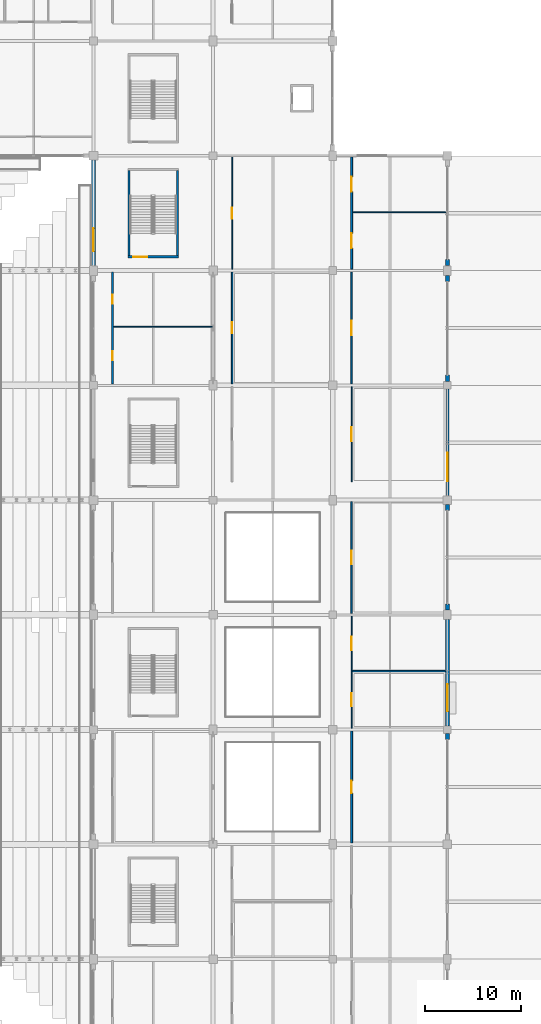
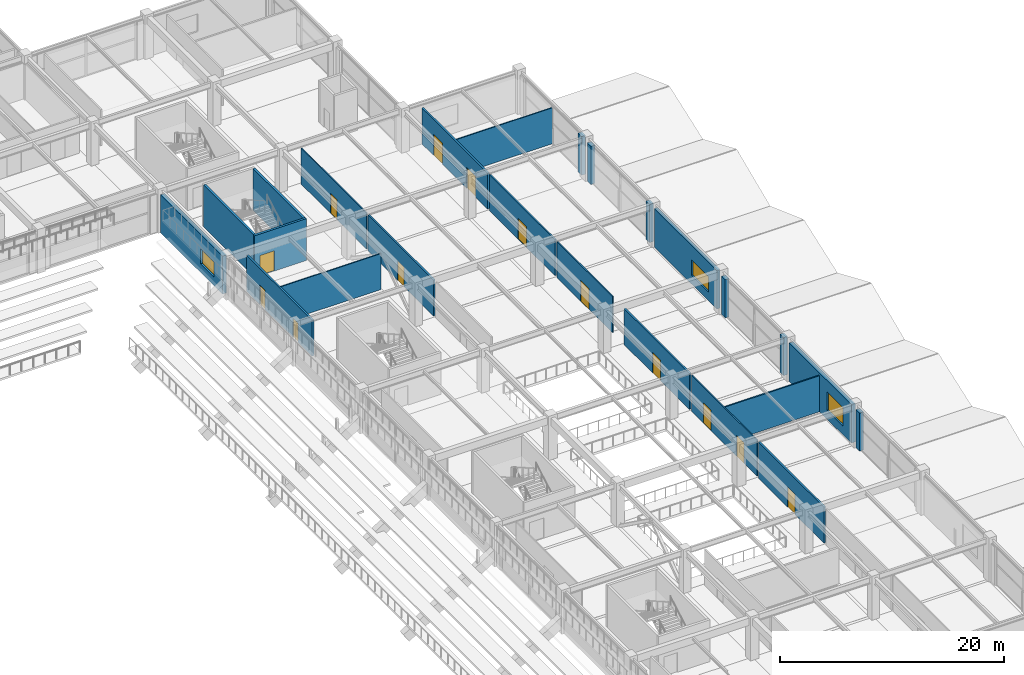
# One storey, part 86 of 134: 24 walls, 13 doors, 3 windows, 16 openings.
"""IFC4 building model written with IfcOpenShell, lengths in metres."""

import ifcopenshell
import ifcopenshell.guid

model = None  # the IFC model being written
_history = None  # IfcOwnerHistory: only IFC2X3 demands one
_inside = {}  # id of a spatial element -> (the spatial element, [elements in it])
_under = {}  # id of a project, library or spatial element -> (it, [spatial elements below it])
_declared = {}  # id of a project -> (the project, [libraries it declares])
_typed = {}  # id of a type object -> (the type object, [elements of that type])
_made_of = {}  # id of a material, layer set ... -> (it, [elements and type objects made of it])


def new_model(schema):
    """Start an empty IFC model of exactly this schema.

    Asked for "IFC4X3", IfcOpenShell would pick the latest addendum, in which some entities
    have other attributes; the version numbers below select the first issue.
    IFC2X3 requires an IfcOwnerHistory on every rooted entity: one is made here for all.
    """
    global model, _history
    if schema == "IFC4X3":
        model = ifcopenshell.file(schema_version=(4, 3, 0, 0))
    else:
        model = ifcopenshell.file(schema=schema)
    _inside.clear()
    _under.clear()
    _declared.clear()
    _typed.clear()
    _made_of.clear()
    _history = None
    if model.schema == "IFC2X3":
        org = make("IfcOrganization", Name="unknown")
        user = make(
            "IfcPersonAndOrganization",
            ThePerson=make("IfcPerson", FamilyName="unknown"),
            TheOrganization=org,
        )
        app = make(
            "IfcApplication",
            ApplicationDeveloper=org,
            Version="unknown",
            ApplicationFullName="unknown",
            ApplicationIdentifier="unknown",
        )
        _history = make(
            "IfcOwnerHistory",
            OwningUser=user,
            OwningApplication=app,
            ChangeAction="ADDED",
            CreationDate=0,
        )
    return model


def make(cls, **values):
    """One entity of the class cls with the attributes given. An attribute that is None is left unset."""
    return model.create_entity(
        cls, **{name: value for name, value in values.items() if value is not None}
    )


def rooted(cls, **values):
    """An entity with a GlobalId (a new one), such as an element, a storey or a relation."""
    return make(cls, GlobalId=ifcopenshell.guid.new(), OwnerHistory=_history, **values)


def si_unit(unit_type, name, prefix=None):
    """IfcSIUnit, for example si_unit("LENGTHUNIT", "METRE", prefix="MILLI")."""
    return make("IfcSIUnit", UnitType=unit_type, Prefix=prefix, Name=name)


def assignment(units):
    """IfcUnitAssignment: the units of a project."""
    return None if units is None else make("IfcUnitAssignment", Units=units)


def point(xyz):
    """IfcCartesianPoint."""
    return None if xyz is None else make("IfcCartesianPoint", Coordinates=xyz)


def direction(xyz):
    """IfcDirection."""
    return None if xyz is None else make("IfcDirection", DirectionRatios=xyz)


def frame(location, z_axis=None, x_axis=None):
    """IfcAxis2Placement3D, a coordinate frame: its origin and axes. An axis left out is left unset."""
    return make(
        "IfcAxis2Placement3D",
        Location=point(location),
        Axis=direction(z_axis),
        RefDirection=direction(x_axis),
    )


def frame_2d(location, x_axis=None):
    """IfcAxis2Placement2D, a coordinate frame in the plane: its origin and x axis."""
    return make(
        "IfcAxis2Placement2D", Location=point(location), RefDirection=direction(x_axis)
    )


def origin():
    """The frame at (0, 0, 0) with its axes left unset."""
    return frame((0.0, 0.0, 0.0))


def place(relative_to, where):
    """IfcLocalPlacement: puts the frame where relative to a parent placement (None: the world)."""
    return make(
        "IfcLocalPlacement", PlacementRelTo=relative_to, RelativePlacement=where
    )


def context(
    kind, dimensions, precision=None, world=None, true_north=None, identifier=None
):
    """IfcGeometricRepresentationContext, for example the 3D "Model" context."""
    return make(
        "IfcGeometricRepresentationContext",
        ContextIdentifier=identifier,
        ContextType=kind,
        CoordinateSpaceDimension=dimensions,
        Precision=precision,
        WorldCoordinateSystem=world,
        TrueNorth=true_north,
    )


def subcontext(parent, identifier, kind, view, scale=None):
    """IfcGeometricRepresentationSubContext, for example "Body" below "Model"."""
    return make(
        "IfcGeometricRepresentationSubContext",
        ContextIdentifier=identifier,
        ContextType=kind,
        ParentContext=parent,
        TargetScale=scale,
        TargetView=view,
    )


def project(units=None, contexts=None):
    """IfcProject with its units and contexts."""
    return rooted(
        "IfcProject",
        Name="project",
        RepresentationContexts=contexts,
        UnitsInContext=assignment(units),
    )


def spatial(cls, under=None, at=None, **own):
    """A site, building, storey or space (cls), placed at a placement, below another one or the project."""
    s = rooted(cls, ObjectPlacement=at, **own)
    if under is not None:
        _under.setdefault(under.id(), (under, []))[1].append(s)
    return s


def profile(cls, at=None, kind="AREA", **sizes):
    """A parametric profile (cls). Its sizes go by their IFC names, for example OverallWidth=200.0."""
    return make(cls, ProfileType=kind, Position=at, **sizes)


def rectangle(**sizes):
    """IfcRectangleProfileDef."""
    return profile("IfcRectangleProfileDef", **sizes)


def extrude(swept, where, along, depth):
    """IfcExtrudedAreaSolid: the profile swept, set in the frame where, extruded along a direction by depth."""
    return make(
        "IfcExtrudedAreaSolid",
        SweptArea=swept,
        Position=where,
        ExtrudedDirection=direction(along),
        Depth=depth,
    )


def shape(context_of_items, identifier, shape_type, items):
    """IfcShapeRepresentation: the items that make up one representation, for example the "Body"."""
    return make(
        "IfcShapeRepresentation",
        ContextOfItems=context_of_items,
        RepresentationIdentifier=identifier,
        RepresentationType=shape_type,
        Items=items,
    )


def material(Name=None, Category=None):
    """IfcMaterial."""
    return make("IfcMaterial", Name=Name, Category=Category)


def layer(
    of_material, thickness, ventilated=None, Name=None, Category=None, Priority=None
):
    """IfcMaterialLayer: one layer of a wall or slab, of a material (None: an air gap)."""
    return make(
        "IfcMaterialLayer",
        Material=of_material,
        LayerThickness=thickness,
        IsVentilated=ventilated,
        Name=Name,
        Category=Category,
        Priority=Priority,
    )


def layer_set(layers, Name=None):
    """IfcMaterialLayerSet."""
    return make("IfcMaterialLayerSet", MaterialLayers=layers, LayerSetName=Name)


def made_of(thing, what):
    """Note that an element or type object is made of a material, layer set ...; save() writes the relation."""
    if what is not None:
        _made_of.setdefault(what.id(), (what, []))[1].append(thing)
    return thing


def type_object(cls, material=None, **own):
    """A type object (cls), such as IfcWallType, which elements share."""
    return made_of(rooted(cls, **own), material)


def element(
    cls,
    number,
    at=None,
    inside=None,
    cuts=None,
    type_object=None,
    material=None,
    context=None,
    identifier="Body",
    shape_type=None,
    held_by="IfcProductDefinitionShape",
    body=None,
    shapes=None,
    **own,
):
    """One element of the class cls, such as IfcWall. Its Tag is "e" and its number.

    at: its placement. inside: the storey or other place that contains it. cuts: it is an
    opening in that element (IfcRelVoidsElement). A single representation is given by context,
    identifier, shape_type and body (its items); several are given by shapes. held_by: the class
    of the entity that holds the representations. save() writes the other relations.
    """
    e = rooted(cls, Tag="e%d" % number, ObjectPlacement=at, **own)
    if body is not None:
        shapes = [shape(context, identifier, shape_type, body)]
    if shapes is not None:
        e.Representation = make(held_by, Representations=shapes)
    if inside is not None:
        _inside.setdefault(inside.id(), (inside, []))[1].append(e)
    if cuts is not None:
        rooted(
            "IfcRelVoidsElement", RelatingBuildingElement=cuts, RelatedOpeningElement=e
        )
    if type_object is not None:
        _typed.setdefault(type_object.id(), (type_object, []))[1].append(e)
    return made_of(e, material)


def fill(opening, filler):
    """IfcRelFillsElement: the door or window that sits in an opening."""
    return rooted(
        "IfcRelFillsElement",
        RelatingOpeningElement=opening,
        RelatedBuildingElement=filler,
    )


def aggregate(whole, parts):
    """IfcRelAggregates: a whole, such as a stair, and the parts it consists of."""
    return rooted("IfcRelAggregates", RelatingObject=whole, RelatedObjects=parts)


def save(model, path):
    """Write the relations noted so far, then the file.

    IfcRelAggregates (storeys below a building ...), IfcRelContainedInSpatialStructure (elements
    in a storey), IfcRelDefinesByType, IfcRelAssociatesMaterial and IfcRelDeclares: one each for
    every whole, place, type object, material and project.
    """
    for whole, parts in _under.values():
        aggregate(whole, parts)
    for where, things in _inside.values():
        rooted(
            "IfcRelContainedInSpatialStructure",
            RelatedElements=things,
            RelatingStructure=where,
        )
    for kind, things in _typed.values():
        rooted("IfcRelDefinesByType", RelatedObjects=things, RelatingType=kind)
    for what, things in _made_of.values():
        rooted("IfcRelAssociatesMaterial", RelatedObjects=things, RelatingMaterial=what)
    for by, libraries in _declared.values():
        rooted("IfcRelDeclares", RelatingContext=by, RelatedDefinitions=libraries)
    model.write(path)


model = new_model("IFC4")

# Units and contexts
model_context = context("Model", 3, precision=1e-05, world=origin(), true_north=direction((0.0, 1.0)))
body_context = subcontext(model_context, "Body", "Model", "MODEL_VIEW")
ifc_project = project(units=[si_unit("LENGTHUNIT", "METRE"), si_unit("AREAUNIT", "SQUARE_METRE"), si_unit("VOLUMEUNIT", "CUBIC_METRE"), si_unit("PLANEANGLEUNIT", "RADIAN"), si_unit("MASSUNIT", "GRAM", prefix="KILO")], contexts=[model_context])

# Site, building, storey
site_placement = place(None, origin())
site = spatial("IfcSite", under=ifc_project, at=site_placement, CompositionType="ELEMENT")
building_placement = place(site_placement, origin())
building = spatial("IfcBuilding", under=site, at=building_placement, Name="Kazenohara Klinker Stadium", CompositionType="ELEMENT")
storey_placement = place(building_placement, frame((0.0, 0.0, 5.39990234375)))
storey = spatial("IfcBuildingStorey", under=building, at=storey_placement, Name="L01", CompositionType="ELEMENT", Elevation=5.39990234375)

# Wall, opening, door
ifc_material_1 = material(Name="Concrete C40/50", Category="concrete")
ifc_layer_1 = layer(ifc_material_1, 0.22998046875)
ifc_layer_set_1 = layer_set([ifc_layer_1], Name="Concrete C40/50")
wall_type_1 = type_object("IfcWallType", Name="WAL-CORE-230", PredefinedType="SHEAR", material=ifc_layer_set_1)
wall_1_placement = place(storey_placement, frame((178.590087890625, 121.43505859375, 0.0), z_axis=(0.0, 0.0, 1.0), x_axis=(1.0, 0.0, 0.0)))
wall_1 = element("IfcWall", 1, at=wall_1_placement, inside=storey, type_object=wall_type_1, Name="Stairwell shear wall ST24 L01 South", PredefinedType="SHEAR", context=body_context, shape_type="SweptSolid", body=[
    extrude(rectangle(XDim=5.31982421875, YDim=0.22998046875, at=frame_2d((2.659912109375, 0.0))), origin(), (0.0, 0.0, 1.0), 4.550048828125),
])
opening_1_placement = place(wall_1_placement, frame((0.550048828125, 0.0, 0.0)))
opening_1 = element("IfcOpeningElement", 2, at=opening_1_placement, cuts=wall_1, Name="Opening SD02", PredefinedType="OPENING", context=body_context, shape_type="SweptSolid", body=[
    extrude(rectangle(XDim=1.5, YDim=2.199951171875, at=frame_2d((0.75, 1.10009765625))), frame((0.0, 0.125, 0.0), z_axis=(0.0, -1.0, 0.0), x_axis=(1.0, 0.0, 0.0)), (0.0, 0.0, 1.0), 0.25),
])
ifc_material_2 = material(Name="Flush painted steel fire door leaf", Category="steel")
door_type_1 = type_object("IfcDoorType", Name="DR-STR-1500x2200", OperationType="NOTDEFINED", PredefinedType="DOOR", material=ifc_material_2)
door_1_placement = place(opening_1_placement, origin())
door_1 = element("IfcDoor", 3, at=door_1_placement, inside=storey, type_object=door_type_1, Name="Escape stairwell fire door ST24-L01", OperationType="SINGLE_SWING_RIGHT", OverallHeight=2.199951171875, OverallWidth=1.5, PredefinedType="DOOR", context=body_context, shape_type="SweptSolid", body=[
    extrude(rectangle(XDim=1.5, YDim=2.199951171875, at=frame_2d((0.75, 1.10009765625))), frame((0.0, 0.02490234375, 0.0), z_axis=(0.0, -1.0, 0.0), x_axis=(1.0, 0.0, 0.0)), (0.0, 0.0, 1.0), 0.050048828125),
])
fill(opening_1, door_1)

# Walls
for number, where, z_axis, x_axis, name in (
    (4, (178.705078125, 121.550048828125, 0.0), (0.0, 0.0, 1.0), (0.0, 1.0, 0.0), "Stairwell shear wall ST24 L01 West"),
    (5, (183.794921875, 121.550048828125, 0.0), (0.0, 0.0, 1.0), (0.0, 1.0, 0.0), "Stairwell shear wall ST24 L01 East"),
):
    element("IfcWall", number, at=place(storey_placement, frame(where, z_axis=z_axis, x_axis=x_axis)), inside=storey, type_object=wall_type_1, Name=name, PredefinedType="SHEAR", context=body_context, shape_type="SweptSolid", body=[
        extrude(rectangle(XDim=8.89990234375, YDim=0.22998046875, at=frame_2d((4.449951171875, 0.0))), origin(), (0.0, 0.0, 1.0), 4.550048828125),
    ])

# Wall, opening, window
ifc_material_3 = material(Name="Clinker brick masonry", Category="masonry")
ifc_layer_2 = layer(ifc_material_3, 0.340087890625)
ifc_layer_set_2 = layer_set([ifc_layer_2], Name="Clinker brick masonry")
wall_type_2 = type_object("IfcWallType", Name="WAL-EXT-CB340", PredefinedType="SOLIDWALL", material=ifc_layer_set_2)
wall_2_placement = place(storey_placement, frame((212.0, 96.4541015625, 0.0), z_axis=(0.0, 0.0, 1.0), x_axis=(0.0, 1.0, 0.0)))
wall_2 = element("IfcWall", 6, at=wall_2_placement, inside=storey, type_object=wall_type_2, Name="Clinker brick cavity wall EW04 L01 Y17-8", PredefinedType="SOLIDWALL", context=body_context, shape_type="SweptSolid", body=[
    extrude(rectangle(XDim=11.141845703125, YDim=0.340087890625, at=frame_2d((5.57080078125, 0.0))), origin(), (0.0, 0.0, 1.0), 4.2001953125),
])
opening_2_placement = place(wall_2_placement, frame((1.5, 0.0, 0.949951171875)))
opening_2 = element("IfcOpeningElement", 7, at=opening_2_placement, cuts=wall_2, Name="Opening W30", PredefinedType="OPENING", context=body_context, shape_type="SweptSolid", body=[
    extrude(rectangle(XDim=3.0, YDim=1.699951171875, at=frame_2d((1.5, 0.85009765625))), frame((0.0, 0.18017578125, 0.0), z_axis=(0.0, -1.0, 0.0), x_axis=(1.0, 0.0, 0.0)), (0.0, 0.0, 1.0), 0.360107421875),
])
ifc_material_4 = material(Name="Dark bronze aluminium frame and triple glazing", Category="aluminium")
window_type_1 = type_object("IfcWindowType", Name="WIN-AS-30", PartitioningType="SINGLE_PANEL", PredefinedType="WINDOW", material=ifc_material_4)
window_1_placement = place(opening_2_placement, origin())
window_1 = element("IfcWindow", 8, at=window_1_placement, inside=storey, type_object=window_type_1, Name="Horizontal-mullion ladder window W30 L01 Y17-8", OverallHeight=1.699951171875, OverallWidth=3.0, PartitioningType="SINGLE_PANEL", PredefinedType="WINDOW", context=body_context, shape_type="SweptSolid", body=[
    extrude(rectangle(XDim=3.0, YDim=1.699951171875, at=frame_2d((1.5, 0.85009765625))), frame((0.0, 0.030029296875, 0.0), z_axis=(0.0, -1.0, 0.0), x_axis=(1.0, 0.0, 0.0)), (0.0, 0.0, 1.0), 0.06005859375),
])
fill(opening_2, window_1)

ifc_layer_3 = layer(ifc_material_3, 0.409912109375)
ifc_layer_set_3 = layer_set([ifc_layer_3], Name="Clinker brick masonry")
wall_type_3 = type_object("IfcWallType", Name="WAL-EXT-CB410", PredefinedType="SOLIDWALL", material=ifc_layer_set_3)
wall_3_placement = place(storey_placement, frame((175.0, 120.50390625, 0.0), z_axis=(0.0, 0.0, 1.0), x_axis=(0.0, 1.0, 0.0)))
wall_3 = element("IfcWall", 9, at=wall_3_placement, inside=storey, type_object=wall_type_3, Name="Clinker brick cavity wall EW02 L01 Y14-10", PredefinedType="SOLIDWALL", context=body_context, shape_type="SweptSolid", body=[
    extrude(rectangle(XDim=11.0419921875, YDim=0.409912109375, at=frame_2d((5.52099609375, 0.0))), origin(), (0.0, 0.0, 1.0), 4.150146484375),
])
opening_3_placement = place(wall_3_placement, frame((1.5, 0.0, 0.949951171875)))
opening_3 = element("IfcOpeningElement", 10, at=opening_3_placement, cuts=wall_3, Name="Opening W23", PredefinedType="OPENING", context=body_context, shape_type="SweptSolid", body=[
    extrude(rectangle(XDim=2.39990234375, YDim=1.64990234375, at=frame_2d((1.199951171875, 0.824951171875))), frame((0.0, 0.21484375, 0.0), z_axis=(0.0, -1.0, 0.0), x_axis=(1.0, 0.0, 0.0)), (0.0, 0.0, 1.0), 0.429931640625),
])
window_type_2 = type_object("IfcWindowType", Name="WIN-AS-23", PartitioningType="SINGLE_PANEL", PredefinedType="WINDOW", material=ifc_material_4)
window_2_placement = place(opening_3_placement, origin())
window_2 = element("IfcWindow", 11, at=window_2_placement, inside=storey, type_object=window_type_2, Name="Horizontal-mullion ladder window W23 L01 Y14-10", OverallHeight=1.64990234375, OverallWidth=2.39990234375, PartitioningType="SINGLE_PANEL", PredefinedType="WINDOW", context=body_context, shape_type="SweptSolid", body=[
    extrude(rectangle(XDim=2.39990234375, YDim=1.64990234375, at=frame_2d((1.199951171875, 0.824951171875))), frame((0.0, 0.030029296875, 0.0), z_axis=(0.0, -1.0, 0.0), x_axis=(1.0, 0.0, 0.0)), (0.0, 0.0, 1.0), 0.06005859375),
])
fill(opening_3, window_2)

# Wall
wall_4_placement = place(storey_placement, frame((212.0, 70.946044921875, 0.0), z_axis=(0.0, 0.0, 1.0), x_axis=(0.0, 1.0, 0.0)))
element("IfcWall", 12, at=wall_4_placement, inside=storey, type_object=wall_type_3, Name="Clinker brick curtain-wall jamb pier L01 Y17-5 B", PredefinedType="SOLIDWALL", context=body_context, shape_type="SweptSolid", body=[
    extrude(rectangle(XDim=0.64990234375, YDim=0.409912109375, at=frame_2d((0.324951171875, 0.0))), origin(), (0.0, 0.0, 1.0), 4.150146484375),
])

# Wall, opening, window
wall_5_placement = place(storey_placement, frame((212.0, 72.404052734375, 0.0), z_axis=(0.0, 0.0, 1.0), x_axis=(0.0, 1.0, 0.0)))
wall_5 = element("IfcWall", 13, at=wall_5_placement, inside=storey, type_object=wall_type_3, Name="Clinker brick cavity wall EW02 L01 Y17-6", PredefinedType="SOLIDWALL", context=body_context, shape_type="SweptSolid", body=[
    extrude(rectangle(XDim=11.092041015625, YDim=0.409912109375, at=frame_2d((5.5458984375, 0.0))), origin(), (0.0, 0.0, 1.0), 4.2001953125),
])
opening_4_placement = place(wall_5_placement, frame((1.5, 0.0, 0.949951171875)))
opening_4 = element("IfcOpeningElement", 14, at=opening_4_placement, cuts=wall_5, Name="Opening W29", PredefinedType="OPENING", context=body_context, shape_type="SweptSolid", body=[
    extrude(rectangle(XDim=2.85009765625, YDim=2.0, at=frame_2d((1.425048828125, 1.0))), frame((0.0, 0.21484375, 0.0), z_axis=(0.0, -1.0, 0.0), x_axis=(1.0, 0.0, 0.0)), (0.0, 0.0, 1.0), 0.429931640625),
])
window_type_3 = type_object("IfcWindowType", Name="WIN-AS-29", PartitioningType="SINGLE_PANEL", PredefinedType="WINDOW", material=ifc_material_4)
window_3_placement = place(opening_4_placement, origin())
window_3 = element("IfcWindow", 15, at=window_3_placement, inside=storey, type_object=window_type_3, Name="Horizontal-mullion ladder window W29 L01 Y17-6", OverallHeight=2.0, OverallWidth=2.85009765625, PartitioningType="SINGLE_PANEL", PredefinedType="WINDOW", context=body_context, shape_type="SweptSolid", body=[
    extrude(rectangle(XDim=2.85009765625, YDim=2.0, at=frame_2d((1.425048828125, 1.0))), frame((0.0, 0.030029296875, 0.0), z_axis=(0.0, -1.0, 0.0), x_axis=(1.0, 0.0, 0.0)), (0.0, 0.0, 1.0), 0.06005859375),
])
fill(opening_4, window_3)

# Walls
wall_6_placement = place(storey_placement, frame((212.0, 84.50390625, 0.0), z_axis=(0.0, 0.0, 1.0), x_axis=(0.0, 1.0, 0.0)))
element("IfcWall", 16, at=wall_6_placement, inside=storey, type_object=wall_type_3, Name="Clinker brick curtain-wall jamb pier L01 Y17-7 A", PredefinedType="SOLIDWALL", context=body_context, shape_type="SweptSolid", body=[
    extrude(rectangle(XDim=0.650146484375, YDim=0.409912109375, at=frame_2d((0.3251953125, 0.0))), origin(), (0.0, 0.0, 1.0), 4.150146484375),
])
for number, where, z_axis, x_axis, name in (
    (17, (212.0, 94.89599609375, 0.0), (0.0, 0.0, 1.0), (0.0, 1.0, 0.0), "Clinker brick curtain-wall jamb pier L01 Y17-7 B"),
    (18, (212.0, 108.404052734375, 0.0), (0.0, 0.0, 1.0), (0.0, 1.0, 0.0), "Clinker brick curtain-wall jamb pier L01 Y17-9 A"),
):
    element("IfcWall", number, at=place(storey_placement, frame(where, z_axis=z_axis, x_axis=x_axis)), inside=storey, type_object=wall_type_3, Name=name, PredefinedType="SOLIDWALL", context=body_context, shape_type="SweptSolid", body=[
        extrude(rectangle(XDim=0.64990234375, YDim=0.409912109375, at=frame_2d((0.324951171875, 0.0))), origin(), (0.0, 0.0, 1.0), 4.150146484375),
    ])
wall_7_placement = place(storey_placement, frame((212.0, 118.845947265625, 0.0), z_axis=(0.0, 0.0, 1.0), x_axis=(0.0, 1.0, 0.0)))
element("IfcWall", 19, at=wall_7_placement, inside=storey, type_object=wall_type_3, Name="Clinker brick curtain-wall jamb pier L01 Y17-9 B", PredefinedType="SOLIDWALL", context=body_context, shape_type="SweptSolid", body=[
    extrude(rectangle(XDim=0.650146484375, YDim=0.409912109375, at=frame_2d((0.3251953125, 0.0))), origin(), (0.0, 0.0, 1.0), 4.150146484375),
])
wall_8_placement = place(storey_placement, frame((212.0, 120.50390625, 0.0), z_axis=(0.0, 0.0, 1.0), x_axis=(0.0, 1.0, 0.0)))
element("IfcWall", 20, at=wall_8_placement, inside=storey, type_object=wall_type_3, Name="Clinker brick curtain-wall jamb pier L01 Y17-10 A", PredefinedType="SOLIDWALL", context=body_context, shape_type="SweptSolid", body=[
    extrude(rectangle(XDim=0.650146484375, YDim=0.409912109375, at=frame_2d((0.3251953125, 0.0))), origin(), (0.0, 0.0, 1.0), 4.2001953125),
])
ifc_material_5 = material(Name="Fire-rated gypsum board on acoustic studs", Category="gypsum")
ifc_layer_4 = layer(ifc_material_5, 0.110107421875)
ifc_layer_set_4 = layer_set([ifc_layer_4], Name="Fire-rated gypsum board on acoustic studs")
wall_type_4 = type_object("IfcWallType", Name="WAL-INT-P110", PredefinedType="PARTITIONING", material=ifc_layer_set_4)
wall_9_placement = place(storey_placement, frame((177.090087890625, 114.11669921875, 0.0), z_axis=(0.0, 0.0, 1.0), x_axis=(1.0, 0.0, 0.0)))
element("IfcWall", 21, at=wall_9_placement, inside=storey, type_object=wall_type_4, Name="Interior partition wall PT01 SPC-L01-14-09-1-2", PredefinedType="PARTITIONING", context=body_context, shape_type="SweptSolid", body=[
    extrude(rectangle(XDim=10.329833984375, YDim=0.110107421875, at=frame_2d((5.1650390625, 0.0))), origin(), (0.0, 0.0, 1.0), 3.920166015625),
])

# Wall, opening, door
wall_10_placement = place(storey_placement, frame((189.489990234375, 120.159912109375, 0.0), z_axis=(0.0, 0.0, 1.0), x_axis=(0.0, 1.0, 0.0)))
wall_10 = element("IfcWall", 22, at=wall_10_placement, inside=storey, type_object=wall_type_4, Name="Interior partition wall PT01 SPC-L01-15-10-1-1", PredefinedType="PARTITIONING", context=body_context, shape_type="SweptSolid", body=[
    extrude(rectangle(XDim=11.68017578125, YDim=0.110107421875, at=frame_2d((5.840087890625, 0.0))), origin(), (0.0, 0.0, 1.0), 3.920166015625),
])
opening_5_placement = place(wall_10_placement, frame((6.429931640625, 0.0, 0.0), z_axis=(0.0, 0.0, 1.0), x_axis=(-1.0, 0.0, 0.0)))
opening_5 = element("IfcOpeningElement", 23, at=opening_5_placement, cuts=wall_10, Name="Opening ID11", PredefinedType="OPENING", context=body_context, shape_type="SweptSolid", body=[
    extrude(rectangle(XDim=1.179931640625, YDim=2.199951171875, at=frame_2d((0.58984375, 1.10009765625))), frame((0.0, 0.06494140625, 0.0), z_axis=(0.0, -1.0, 0.0), x_axis=(1.0, 0.0, 0.0)), (0.0, 0.0, 1.0), 0.130126953125),
])
ifc_material_6 = material(Name="Solid-core Hokkaido oak fire door", Category="wood")
door_type_2 = type_object("IfcDoorType", Name="DR-INT-11", OperationType="NOTDEFINED", PredefinedType="DOOR", material=ifc_material_6)
door_2_placement = place(opening_5_placement, origin())
door_2 = element("IfcDoor", 24, at=door_2_placement, inside=storey, type_object=door_type_2, Name="Interior door ID11 Spectator First-Aid Medical Clinic L01-1510A", OperationType="SINGLE_SWING_RIGHT", OverallHeight=2.199951171875, OverallWidth=1.179931640625, PredefinedType="DOOR", context=body_context, shape_type="SweptSolid", body=[
    extrude(rectangle(XDim=1.179931640625, YDim=2.199951171875, at=frame_2d((0.58984375, 1.10009765625))), frame((0.0, 0.02490234375, 0.0), z_axis=(0.0, -1.0, 0.0), x_axis=(1.0, 0.0, 0.0)), (0.0, 0.0, 1.0), 0.050048828125),
])
fill(opening_5, door_2)

# Wall
wall_11_placement = place(storey_placement, frame((202.090087890625, 126.11669921875, 0.0), z_axis=(0.0, 0.0, 1.0), x_axis=(1.0, 0.0, 0.0)))
element("IfcWall", 25, at=wall_11_placement, inside=storey, type_object=wall_type_4, Name="Interior partition wall PT01 SPC-L01-16-10-1-2", PredefinedType="PARTITIONING", context=body_context, shape_type="SweptSolid", body=[
    extrude(rectangle(XDim=9.885986328125, YDim=0.110107421875, at=frame_2d((4.94287109375, 0.0))), origin(), (0.0, 0.0, 1.0), 3.920166015625),
])

# Wall, openings, doors
ifc_layer_5 = layer(ifc_material_5, 0.1201171875)
ifc_layer_set_5 = layer_set([ifc_layer_5], Name="Fire-rated gypsum board on acoustic studs")
wall_type_5 = type_object("IfcWallType", Name="WAL-INT-P120", PredefinedType="PARTITIONING", material=ifc_layer_set_5)
wall_12_placement = place(storey_placement, frame((201.989990234375, 72.159912109375, 0.0), z_axis=(0.0, 0.0, 1.0), x_axis=(0.0, 1.0, 0.0)))
wall_12 = element("IfcWall", 26, at=wall_12_placement, inside=storey, type_object=wall_type_5, Name="Interior partition wall PT02 SPC-L01-16-06-1-1", PredefinedType="PARTITIONING", context=body_context, shape_type="SweptSolid", body=[
    extrude(rectangle(XDim=11.68017578125, YDim=0.1201171875, at=frame_2d((5.840087890625, 0.0))), origin(), (0.0, 0.0, 1.0), 3.920166015625),
])
opening_6_placement = place(wall_12_placement, frame((3.618408203125, 0.0, 0.0), z_axis=(0.0, 0.0, 1.0), x_axis=(-1.0, 0.0, 0.0)))
opening_6 = element("IfcOpeningElement", 27, at=opening_6_placement, cuts=wall_12, Name="Opening ID17", PredefinedType="OPENING", context=body_context, shape_type="SweptSolid", body=[
    extrude(rectangle(XDim=1.360107421875, YDim=2.25, at=frame_2d((0.68017578125, 1.125))), frame((0.0, 0.070068359375, 0.0), z_axis=(0.0, -1.0, 0.0), x_axis=(1.0, 0.0, 0.0)), (0.0, 0.0, 1.0), 0.14013671875),
])
opening_7_placement = place(wall_12_placement, frame((9.558349609375, 0.0, 0.0), z_axis=(0.0, 0.0, 1.0), x_axis=(-1.0, 0.0, 0.0)))
opening_7 = element("IfcOpeningElement", 28, at=opening_7_placement, cuts=wall_12, Name="Opening ID18", PredefinedType="OPENING", context=body_context, shape_type="SweptSolid", body=[
    extrude(rectangle(XDim=1.39990234375, YDim=2.239990234375, at=frame_2d((0.699951171875, 1.1201171875))), frame((0.0, 0.070068359375, 0.0), z_axis=(0.0, -1.0, 0.0), x_axis=(1.0, 0.0, 0.0)), (0.0, 0.0, 1.0), 0.14013671875),
])
door_type_3 = type_object("IfcDoorType", Name="DR-INT-17", OperationType="NOTDEFINED", PredefinedType="DOOR", material=ifc_material_6)
door_3_placement = place(opening_6_placement, origin())
door_3 = element("IfcDoor", 29, at=door_3_placement, inside=storey, type_object=door_type_3, Name="Interior door ID17 Family Sensory Hospitality Lounge L01-1606A", OperationType="SINGLE_SWING_RIGHT", OverallHeight=2.25, OverallWidth=1.360107421875, PredefinedType="DOOR", context=body_context, shape_type="SweptSolid", body=[
    extrude(rectangle(XDim=1.360107421875, YDim=2.25, at=frame_2d((0.68017578125, 1.125))), frame((0.0, 0.02490234375, 0.0), z_axis=(0.0, -1.0, 0.0), x_axis=(1.0, 0.0, 0.0)), (0.0, 0.0, 1.0), 0.050048828125),
])
fill(opening_6, door_3)
door_type_4 = type_object("IfcDoorType", Name="DR-INT-18", OperationType="NOTDEFINED", PredefinedType="DOOR", material=ifc_material_6)
door_4_placement = place(opening_7_placement, origin())
door_4 = element("IfcDoor", 30, at=door_4_placement, inside=storey, type_object=door_type_4, Name="Interior door ID18 Youth Sports Coaching Classroom L01-1606B", OperationType="SINGLE_SWING_LEFT", OverallHeight=2.239990234375, OverallWidth=1.39990234375, PredefinedType="DOOR", context=body_context, shape_type="SweptSolid", body=[
    extrude(rectangle(XDim=1.39990234375, YDim=2.239990234375, at=frame_2d((0.699951171875, 1.1201171875))), frame((0.0, 0.02490234375, 0.0), z_axis=(0.0, -1.0, 0.0), x_axis=(1.0, 0.0, 0.0)), (0.0, 0.0, 1.0), 0.050048828125),
])
fill(opening_7, door_4)

# Wall, opening, door
wall_13_placement = place(storey_placement, frame((201.989990234375, 97.919921875, 0.0), z_axis=(0.0, 0.0, 1.0), x_axis=(0.0, 1.0, 0.0)))
wall_13 = element("IfcWall", 31, at=wall_13_placement, inside=storey, type_object=wall_type_5, Name="Interior partition wall PT02 SPC-L01-16-08-1-1", PredefinedType="PARTITIONING", context=body_context, shape_type="SweptSolid", body=[
    extrude(rectangle(XDim=9.920166015625, YDim=0.1201171875, at=frame_2d((4.9599609375, 0.0))), origin(), (0.0, 0.0, 1.0), 3.920166015625),
])
opening_8_placement = place(wall_13_placement, frame((5.699951171875, 0.0, 0.0), z_axis=(0.0, 0.0, 1.0), x_axis=(-1.0, 0.0, 0.0)))
opening_8 = element("IfcOpeningElement", 32, at=opening_8_placement, cuts=wall_13, Name="Opening ID20", PredefinedType="OPENING", context=body_context, shape_type="SweptSolid", body=[
    extrude(rectangle(XDim=1.47998046875, YDim=2.239990234375, at=frame_2d((0.739990234375, 1.1201171875))), frame((0.0, 0.070068359375, 0.0), z_axis=(0.0, -1.0, 0.0), x_axis=(1.0, 0.0, 0.0)), (0.0, 0.0, 1.0), 0.14013671875),
])
ifc_material_7 = material(Name="Painted steel plant fire door", Category="steel")
door_type_5 = type_object("IfcDoorType", Name="DR-INT-20", OperationType="NOTDEFINED", PredefinedType="DOOR", material=ifc_material_7)
door_5_placement = place(opening_8_placement, origin())
door_5 = element("IfcDoor", 33, at=door_5_placement, inside=storey, type_object=door_type_5, Name="Interior door ID20 Family Sensory Hospitality Lounge L01-1608A", OperationType="SINGLE_SWING_LEFT", OverallHeight=2.239990234375, OverallWidth=1.47998046875, PredefinedType="DOOR", context=body_context, shape_type="SweptSolid", body=[
    extrude(rectangle(XDim=1.47998046875, YDim=2.239990234375, at=frame_2d((0.739990234375, 1.1201171875))), frame((0.0, 0.02490234375, 0.0), z_axis=(0.0, -1.0, 0.0), x_axis=(1.0, 0.0, 0.0)), (0.0, 0.0, 1.0), 0.050048828125),
])
fill(opening_8, door_5)

# Wall
ifc_layer_6 = layer(ifc_material_5, 0.139892578125)
ifc_layer_set_6 = layer_set([ifc_layer_6], Name="Fire-rated gypsum board on acoustic studs")
wall_type_6 = type_object("IfcWallType", Name="WAL-INT-P140", PredefinedType="PARTITIONING", material=ifc_layer_set_6)
wall_14_placement = place(storey_placement, frame((202.054931640625, 78.11669921875, 0.0), z_axis=(0.0, 0.0, 1.0), x_axis=(1.0, 0.0, 0.0)))
element("IfcWall", 34, at=wall_14_placement, inside=storey, type_object=wall_type_6, Name="Interior partition wall PT03 SPC-L01-16-06-1-2", PredefinedType="PARTITIONING", context=body_context, shape_type="SweptSolid", body=[
    extrude(rectangle(XDim=9.738037109375, YDim=0.139892578125, at=frame_2d((4.869140625, 0.0))), origin(), (0.0, 0.0, 1.0), 3.920166015625),
])

# Wall, opening, door
ifc_layer_7 = layer(ifc_material_5, 0.14990234375)
ifc_layer_set_7 = layer_set([ifc_layer_7], Name="Fire-rated gypsum board on acoustic studs")
wall_type_7 = type_object("IfcWallType", Name="WAL-INT-P150", PredefinedType="PARTITIONING", material=ifc_layer_set_7)
wall_15_placement = place(storey_placement, frame((201.989990234375, 108.159912109375, 0.0), z_axis=(0.0, 0.0, 1.0), x_axis=(0.0, 1.0, 0.0)))
wall_15 = element("IfcWall", 35, at=wall_15_placement, inside=storey, type_object=wall_type_7, Name="Interior partition wall PT04 SPC-L01-16-09-1-1", PredefinedType="PARTITIONING", context=body_context, shape_type="SweptSolid", body=[
    extrude(rectangle(XDim=11.68017578125, YDim=0.14990234375, at=frame_2d((5.840087890625, 0.0))), origin(), (0.0, 0.0, 1.0), 3.920166015625),
])
opening_9_placement = place(wall_15_placement, frame((6.60009765625, 0.0, 0.0), z_axis=(0.0, 0.0, 1.0), x_axis=(-1.0, 0.0, 0.0)))
opening_9 = element("IfcOpeningElement", 36, at=opening_9_placement, cuts=wall_15, Name="Opening ID21", PredefinedType="OPENING", context=body_context, shape_type="SweptSolid", body=[
    extrude(rectangle(XDim=1.52001953125, YDim=2.280029296875, at=frame_2d((0.760009765625, 1.14013671875))), frame((0.0, 0.0849609375, 0.0), z_axis=(0.0, -1.0, 0.0), x_axis=(1.0, 0.0, 0.0)), (0.0, 0.0, 1.0), 0.169921875),
])
door_type_6 = type_object("IfcDoorType", Name="DR-INT-21", OperationType="NOTDEFINED", PredefinedType="DOOR", material=ifc_material_7)
door_6_placement = place(opening_9_placement, origin())
door_6 = element("IfcDoor", 37, at=door_6_placement, inside=storey, type_object=door_type_6, Name="Interior door ID21 Concourse Supporter Beer Dining Hall L01-1609A", OperationType="SINGLE_SWING_RIGHT", OverallHeight=2.280029296875, OverallWidth=1.52001953125, PredefinedType="DOOR", context=body_context, shape_type="SweptSolid", body=[
    extrude(rectangle(XDim=1.52001953125, YDim=2.280029296875, at=frame_2d((0.760009765625, 1.14013671875))), frame((0.0, 0.02490234375, 0.0), z_axis=(0.0, -1.0, 0.0), x_axis=(1.0, 0.0, 0.0)), (0.0, 0.0, 1.0), 0.050048828125),
])
fill(opening_9, door_6)

ifc_layer_8 = layer(ifc_material_5, 0.169921875)
ifc_layer_set_8 = layer_set([ifc_layer_8], Name="Fire-rated gypsum board on acoustic studs")
wall_type_8 = type_object("IfcWallType", Name="WAL-INT-P170", PredefinedType="PARTITIONING", material=ifc_layer_set_8)
wall_16_placement = place(storey_placement, frame((189.489990234375, 108.159912109375, 0.0), z_axis=(0.0, 0.0, 1.0), x_axis=(0.0, 1.0, 0.0)))
wall_16 = element("IfcWall", 38, at=wall_16_placement, inside=storey, type_object=wall_type_8, Name="Interior partition wall PT05 SPC-L01-15-09-1-1", PredefinedType="PARTITIONING", context=body_context, shape_type="SweptSolid", body=[
    extrude(rectangle(XDim=11.68017578125, YDim=0.169921875, at=frame_2d((5.840087890625, 0.0))), origin(), (0.0, 0.0, 1.0), 3.920166015625),
])
opening_10_placement = place(wall_16_placement, frame((6.414794921875, 0.0, 0.0), z_axis=(0.0, 0.0, 1.0), x_axis=(-1.0, 0.0, 0.0)))
opening_10 = element("IfcOpeningElement", 39, at=opening_10_placement, cuts=wall_16, Name="Opening ID10", PredefinedType="OPENING", context=body_context, shape_type="SweptSolid", body=[
    extrude(rectangle(XDim=1.14990234375, YDim=2.14990234375, at=frame_2d((0.574951171875, 1.074951171875))), frame((0.0, 0.094970703125, 0.0), z_axis=(0.0, -1.0, 0.0), x_axis=(1.0, 0.0, 0.0)), (0.0, 0.0, 1.0), 0.18994140625),
])
door_type_7 = type_object("IfcDoorType", Name="DR-INT-10", OperationType="NOTDEFINED", PredefinedType="DOOR", material=ifc_material_6)
door_7_placement = place(opening_10_placement, origin())
door_7 = element("IfcDoor", 40, at=door_7_placement, inside=storey, type_object=door_type_7, Name="Interior door ID10 Supporter Scarf and Jersey Retail Shop L01-1509A", OperationType="SINGLE_SWING_LEFT", OverallHeight=2.14990234375, OverallWidth=1.14990234375, PredefinedType="DOOR", context=body_context, shape_type="SweptSolid", body=[
    extrude(rectangle(XDim=1.14990234375, YDim=2.14990234375, at=frame_2d((0.574951171875, 1.074951171875))), frame((0.0, 0.02490234375, 0.0), z_axis=(0.0, -1.0, 0.0), x_axis=(1.0, 0.0, 0.0)), (0.0, 0.0, 1.0), 0.050048828125),
])
fill(opening_10, door_7)

wall_17_placement = place(storey_placement, frame((201.989990234375, 84.159912109375, 0.0), z_axis=(0.0, 0.0, 1.0), x_axis=(0.0, 1.0, 0.0)))
wall_17 = element("IfcWall", 41, at=wall_17_placement, inside=storey, type_object=wall_type_8, Name="Interior partition wall PT05 SPC-L01-16-07-1-1", PredefinedType="PARTITIONING", context=body_context, shape_type="SweptSolid", body=[
    extrude(rectangle(XDim=11.68017578125, YDim=0.169921875, at=frame_2d((5.840087890625, 0.0))), origin(), (0.0, 0.0, 1.0), 3.920166015625),
])
opening_11_placement = place(wall_17_placement, frame((6.56005859375, 0.0, 0.0), z_axis=(0.0, 0.0, 1.0), x_axis=(-1.0, 0.0, 0.0)))
opening_11 = element("IfcOpeningElement", 42, at=opening_11_placement, cuts=wall_17, Name="Opening ID19", PredefinedType="OPENING", context=body_context, shape_type="SweptSolid", body=[
    extrude(rectangle(XDim=1.43994140625, YDim=2.260009765625, at=frame_2d((0.719970703125, 1.1298828125))), frame((0.0, 0.094970703125, 0.0), z_axis=(0.0, -1.0, 0.0), x_axis=(1.0, 0.0, 0.0)), (0.0, 0.0, 1.0), 0.18994140625),
])
door_type_8 = type_object("IfcDoorType", Name="DR-INT-19", OperationType="NOTDEFINED", PredefinedType="DOOR", material=ifc_material_7)
door_8_placement = place(opening_11_placement, origin())
door_8 = element("IfcDoor", 43, at=door_8_placement, inside=storey, type_object=door_type_8, Name="Interior door ID19 Spectator First-Aid Medical Clinic L01-1607A", OperationType="SINGLE_SWING_RIGHT", OverallHeight=2.260009765625, OverallWidth=1.43994140625, PredefinedType="DOOR", context=body_context, shape_type="SweptSolid", body=[
    extrude(rectangle(XDim=1.43994140625, YDim=2.260009765625, at=frame_2d((0.719970703125, 1.1298828125))), frame((0.0, 0.02490234375, 0.0), z_axis=(0.0, -1.0, 0.0), x_axis=(1.0, 0.0, 0.0)), (0.0, 0.0, 1.0), 0.050048828125),
])
fill(opening_11, door_8)

# Wall, openings, doors
ifc_layer_9 = layer(ifc_material_5, 0.18994140625)
ifc_layer_set_9 = layer_set([ifc_layer_9], Name="Fire-rated gypsum board on acoustic studs")
wall_type_9 = type_object("IfcWallType", Name="WAL-INT-P190", PredefinedType="PARTITIONING", material=ifc_layer_set_9)
wall_18_placement = place(storey_placement, frame((176.989990234375, 108.159912109375, 0.0), z_axis=(0.0, 0.0, 1.0), x_axis=(0.0, 1.0, 0.0)))
wall_18 = element("IfcWall", 44, at=wall_18_placement, inside=storey, type_object=wall_type_9, Name="Interior partition wall PT06 SPC-L01-14-09-1-1", PredefinedType="PARTITIONING", context=body_context, shape_type="SweptSolid", body=[
    extrude(rectangle(XDim=11.68017578125, YDim=0.18994140625, at=frame_2d((5.840087890625, 0.0))), origin(), (0.0, 0.0, 1.0), 3.920166015625),
])
opening_12_placement = place(wall_18_placement, frame((3.3984375, 0.0, 0.0), z_axis=(0.0, 0.0, 1.0), x_axis=(-1.0, 0.0, 0.0)))
opening_12 = element("IfcOpeningElement", 45, at=opening_12_placement, cuts=wall_18, Name="Opening ID02", PredefinedType="OPENING", context=body_context, shape_type="SweptSolid", body=[
    extrude(rectangle(XDim=0.919921875, YDim=2.10009765625, at=frame_2d((0.4599609375, 1.050048828125))), frame((0.0, 0.10498046875, 0.0), z_axis=(0.0, -1.0, 0.0), x_axis=(1.0, 0.0, 0.0)), (0.0, 0.0, 1.0), 0.2099609375),
])
opening_13_placement = place(wall_18_placement, frame((9.333251953125, 0.0, 0.0), z_axis=(0.0, 0.0, 1.0), x_axis=(-1.0, 0.0, 0.0)))
opening_13 = element("IfcOpeningElement", 46, at=opening_13_placement, cuts=wall_18, Name="Opening ID03", PredefinedType="OPENING", context=body_context, shape_type="SweptSolid", body=[
    extrude(rectangle(XDim=0.949951171875, YDim=2.1201171875, at=frame_2d((0.47509765625, 1.06005859375))), frame((0.0, 0.10498046875, 0.0), z_axis=(0.0, -1.0, 0.0), x_axis=(1.0, 0.0, 0.0)), (0.0, 0.0, 1.0), 0.2099609375),
])
door_type_9 = type_object("IfcDoorType", Name="DR-INT-02", OperationType="NOTDEFINED", PredefinedType="DOOR", material=ifc_material_6)
door_9_placement = place(opening_12_placement, origin())
door_9 = element("IfcDoor", 47, at=door_9_placement, inside=storey, type_object=door_type_9, Name="Interior door ID02 Youth Sports Coaching Classroom L01-1409A", OperationType="SINGLE_SWING_LEFT", OverallHeight=2.10009765625, OverallWidth=0.919921875, PredefinedType="DOOR", context=body_context, shape_type="SweptSolid", body=[
    extrude(rectangle(XDim=0.919921875, YDim=2.10009765625, at=frame_2d((0.4599609375, 1.050048828125))), frame((0.0, 0.02490234375, 0.0), z_axis=(0.0, -1.0, 0.0), x_axis=(1.0, 0.0, 0.0)), (0.0, 0.0, 1.0), 0.050048828125),
])
fill(opening_12, door_9)
door_type_10 = type_object("IfcDoorType", Name="DR-INT-03", OperationType="NOTDEFINED", PredefinedType="DOOR", material=ifc_material_6)
door_10_placement = place(opening_13_placement, origin())
door_10 = element("IfcDoor", 48, at=door_10_placement, inside=storey, type_object=door_type_10, Name="Interior door ID03 Community Martial Arts Fitness Studio L01-1409B", OperationType="SINGLE_SWING_RIGHT", OverallHeight=2.1201171875, OverallWidth=0.949951171875, PredefinedType="DOOR", context=body_context, shape_type="SweptSolid", body=[
    extrude(rectangle(XDim=0.949951171875, YDim=2.1201171875, at=frame_2d((0.47509765625, 1.06005859375))), frame((0.0, 0.02490234375, 0.0), z_axis=(0.0, -1.0, 0.0), x_axis=(1.0, 0.0, 0.0)), (0.0, 0.0, 1.0), 0.050048828125),
])
fill(opening_13, door_10)

# Wall, opening, door
wall_19_placement = place(storey_placement, frame((201.989990234375, 60.159912109375, 0.0), z_axis=(0.0, 0.0, 1.0), x_axis=(0.0, 1.0, 0.0)))
wall_19 = element("IfcWall", 49, at=wall_19_placement, inside=storey, type_object=wall_type_9, Name="Interior partition wall PT06 SPC-L01-16-05-1-1", PredefinedType="PARTITIONING", context=body_context, shape_type="SweptSolid", body=[
    extrude(rectangle(XDim=11.68017578125, YDim=0.18994140625, at=frame_2d((5.840087890625, 0.0))), origin(), (0.0, 0.0, 1.0), 3.920166015625),
])
opening_14_placement = place(wall_19_placement, frame((6.505126953125, 0.0, 0.0), z_axis=(0.0, 0.0, 1.0), x_axis=(-1.0, 0.0, 0.0)))
opening_14 = element("IfcOpeningElement", 50, at=opening_14_placement, cuts=wall_19, Name="Opening ID16", PredefinedType="OPENING", context=body_context, shape_type="SweptSolid", body=[
    extrude(rectangle(XDim=1.330078125, YDim=2.219970703125, at=frame_2d((0.6650390625, 1.10986328125))), frame((0.0, 0.10498046875, 0.0), z_axis=(0.0, -1.0, 0.0), x_axis=(1.0, 0.0, 0.0)), (0.0, 0.0, 1.0), 0.2099609375),
])
door_type_11 = type_object("IfcDoorType", Name="DR-INT-16", OperationType="NOTDEFINED", PredefinedType="DOOR", material=ifc_material_6)
door_11_placement = place(opening_14_placement, origin())
door_11 = element("IfcDoor", 51, at=door_11_placement, inside=storey, type_object=door_type_11, Name="Interior door ID16 Lower Concourse Spectator Dining Pavilion L01-1605A", OperationType="SINGLE_SWING_LEFT", OverallHeight=2.219970703125, OverallWidth=1.330078125, PredefinedType="DOOR", context=body_context, shape_type="SweptSolid", body=[
    extrude(rectangle(XDim=1.330078125, YDim=2.219970703125, at=frame_2d((0.6650390625, 1.10986328125))), frame((0.0, 0.02490234375, 0.0), z_axis=(0.0, -1.0, 0.0), x_axis=(1.0, 0.0, 0.0)), (0.0, 0.0, 1.0), 0.050048828125),
])
fill(opening_14, door_11)

# Wall, openings, doors
wall_20_placement = place(storey_placement, frame((201.989990234375, 120.159912109375, 0.0), z_axis=(0.0, 0.0, 1.0), x_axis=(0.0, 1.0, 0.0)))
wall_20 = element("IfcWall", 52, at=wall_20_placement, inside=storey, type_object=wall_type_9, Name="Interior partition wall PT06 SPC-L01-16-10-1-1", PredefinedType="PARTITIONING", context=body_context, shape_type="SweptSolid", body=[
    extrude(rectangle(XDim=11.697998046875, YDim=0.18994140625, at=frame_2d((5.84912109375, 0.0))), origin(), (0.0, 0.0, 1.0), 3.920166015625),
])
opening_15_placement = place(wall_20_placement, frame((3.718505859375, 0.0, 0.0), z_axis=(0.0, 0.0, 1.0), x_axis=(-1.0, 0.0, 0.0)))
opening_15 = element("IfcOpeningElement", 53, at=opening_15_placement, cuts=wall_20, Name="Opening ID22", PredefinedType="OPENING", context=body_context, shape_type="SweptSolid", body=[
    extrude(rectangle(XDim=1.56005859375, YDim=2.260009765625, at=frame_2d((0.780029296875, 1.1298828125))), frame((0.0, 0.10498046875, 0.0), z_axis=(0.0, -1.0, 0.0), x_axis=(1.0, 0.0, 0.0)), (0.0, 0.0, 1.0), 0.2099609375),
])
opening_16_placement = place(wall_20_placement, frame((9.658447265625, 0.0, 0.0), z_axis=(0.0, 0.0, 1.0), x_axis=(-1.0, 0.0, 0.0)))
opening_16 = element("IfcOpeningElement", 54, at=opening_16_placement, cuts=wall_20, Name="Opening ID23", PredefinedType="OPENING", context=body_context, shape_type="SweptSolid", body=[
    extrude(rectangle(XDim=1.60009765625, YDim=2.300048828125, at=frame_2d((0.800048828125, 1.14990234375))), frame((0.0, 0.10498046875, 0.0), z_axis=(0.0, -1.0, 0.0), x_axis=(1.0, 0.0, 0.0)), (0.0, 0.0, 1.0), 0.2099609375),
])
door_type_12 = type_object("IfcDoorType", Name="DR-INT-22", OperationType="NOTDEFINED", PredefinedType="DOOR", material=ifc_material_7)
door_12_placement = place(opening_15_placement, origin())
door_12 = element("IfcDoor", 55, at=door_12_placement, inside=storey, type_object=door_type_12, Name="Interior door ID22 Youth Sports Coaching Classroom L01-1610A", OperationType="SINGLE_SWING_LEFT", OverallHeight=2.260009765625, OverallWidth=1.56005859375, PredefinedType="DOOR", context=body_context, shape_type="SweptSolid", body=[
    extrude(rectangle(XDim=1.56005859375, YDim=2.260009765625, at=frame_2d((0.780029296875, 1.1298828125))), frame((0.0, 0.02490234375, 0.0), z_axis=(0.0, -1.0, 0.0), x_axis=(1.0, 0.0, 0.0)), (0.0, 0.0, 1.0), 0.050048828125),
])
fill(opening_15, door_12)
door_type_13 = type_object("IfcDoorType", Name="DR-INT-23", OperationType="NOTDEFINED", PredefinedType="DOOR", material=ifc_material_7)
door_13_placement = place(opening_16_placement, origin())
door_13 = element("IfcDoor", 56, at=door_13_placement, inside=storey, type_object=door_type_13, Name="Interior door ID23 Community Martial Arts Fitness Studio L01-1610B", OperationType="SINGLE_SWING_RIGHT", OverallHeight=2.300048828125, OverallWidth=1.60009765625, PredefinedType="DOOR", context=body_context, shape_type="SweptSolid", body=[
    extrude(rectangle(XDim=1.60009765625, YDim=2.300048828125, at=frame_2d((0.800048828125, 1.14990234375))), frame((0.0, 0.02490234375, 0.0), z_axis=(0.0, -1.0, 0.0), x_axis=(1.0, 0.0, 0.0)), (0.0, 0.0, 1.0), 0.050048828125),
])
fill(opening_16, door_13)

save(model, "model.ifc")
